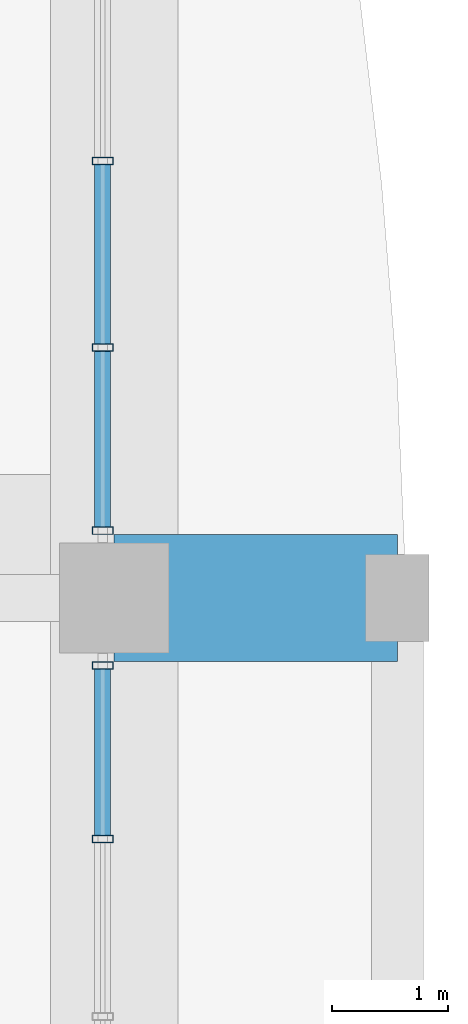
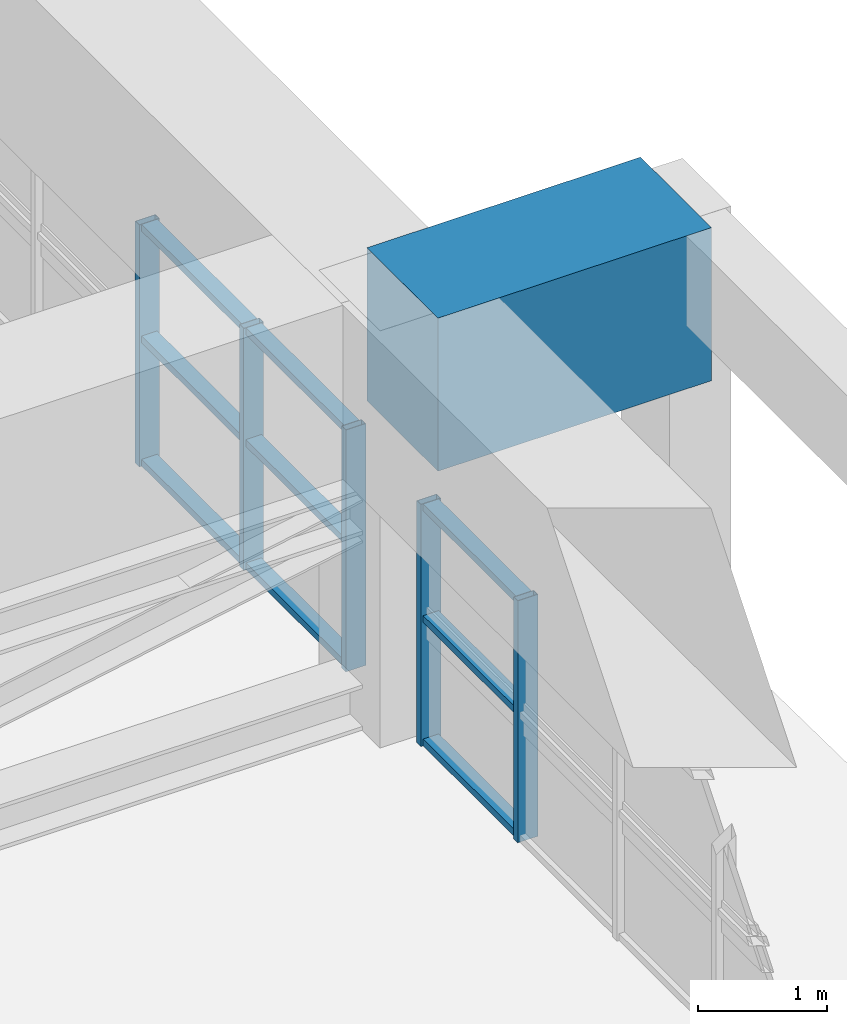
# One storey, part 24 of 35: 14 members, 1 beam, 2 elements without a shape of their own.
"""IFC4 building model written with IfcOpenShell, lengths in metres."""

import ifcopenshell
import ifcopenshell.guid

model = None  # the IFC model being written
_history = None  # IfcOwnerHistory: only IFC2X3 demands one
_inside = {}  # id of a spatial element -> (the spatial element, [elements in it])
_under = {}  # id of a project, library or spatial element -> (it, [spatial elements below it])
_declared = {}  # id of a project -> (the project, [libraries it declares])
_typed = {}  # id of a type object -> (the type object, [elements of that type])
_made_of = {}  # id of a material, layer set ... -> (it, [elements and type objects made of it])


def new_model(schema):
    """Start an empty IFC model of exactly this schema.

    Asked for "IFC4X3", IfcOpenShell would pick the latest addendum, in which some entities
    have other attributes; the version numbers below select the first issue.
    IFC2X3 requires an IfcOwnerHistory on every rooted entity: one is made here for all.
    """
    global model, _history
    if schema == "IFC4X3":
        model = ifcopenshell.file(schema_version=(4, 3, 0, 0))
    else:
        model = ifcopenshell.file(schema=schema)
    _inside.clear()
    _under.clear()
    _declared.clear()
    _typed.clear()
    _made_of.clear()
    _history = None
    if model.schema == "IFC2X3":
        org = make("IfcOrganization", Name="unknown")
        user = make(
            "IfcPersonAndOrganization",
            ThePerson=make("IfcPerson", FamilyName="unknown"),
            TheOrganization=org,
        )
        app = make(
            "IfcApplication",
            ApplicationDeveloper=org,
            Version="unknown",
            ApplicationFullName="unknown",
            ApplicationIdentifier="unknown",
        )
        _history = make(
            "IfcOwnerHistory",
            OwningUser=user,
            OwningApplication=app,
            ChangeAction="ADDED",
            CreationDate=0,
        )
    return model


def make(cls, **values):
    """One entity of the class cls with the attributes given. An attribute that is None is left unset."""
    return model.create_entity(
        cls, **{name: value for name, value in values.items() if value is not None}
    )


def rooted(cls, **values):
    """An entity with a GlobalId (a new one), such as an element, a storey or a relation."""
    return make(cls, GlobalId=ifcopenshell.guid.new(), OwnerHistory=_history, **values)


def si_unit(unit_type, name, prefix=None):
    """IfcSIUnit, for example si_unit("LENGTHUNIT", "METRE", prefix="MILLI")."""
    return make("IfcSIUnit", UnitType=unit_type, Prefix=prefix, Name=name)


def assignment(units):
    """IfcUnitAssignment: the units of a project."""
    return None if units is None else make("IfcUnitAssignment", Units=units)


def point(xyz):
    """IfcCartesianPoint."""
    return None if xyz is None else make("IfcCartesianPoint", Coordinates=xyz)


def direction(xyz):
    """IfcDirection."""
    return None if xyz is None else make("IfcDirection", DirectionRatios=xyz)


def frame(location, z_axis=None, x_axis=None):
    """IfcAxis2Placement3D, a coordinate frame: its origin and axes. An axis left out is left unset."""
    return make(
        "IfcAxis2Placement3D",
        Location=point(location),
        Axis=direction(z_axis),
        RefDirection=direction(x_axis),
    )


def frame_2d(location, x_axis=None):
    """IfcAxis2Placement2D, a coordinate frame in the plane: its origin and x axis."""
    return make(
        "IfcAxis2Placement2D", Location=point(location), RefDirection=direction(x_axis)
    )


def origin():
    """The frame at (0, 0, 0) with its axes left unset."""
    return frame((0.0, 0.0, 0.0))


def origin_2d():
    """The frame at (0, 0) in the plane with its x axis left unset."""
    return frame_2d((0.0, 0.0))


def place(relative_to, where):
    """IfcLocalPlacement: puts the frame where relative to a parent placement (None: the world)."""
    return make(
        "IfcLocalPlacement", PlacementRelTo=relative_to, RelativePlacement=where
    )


def context(
    kind, dimensions, precision=None, world=None, true_north=None, identifier=None
):
    """IfcGeometricRepresentationContext, for example the 3D "Model" context."""
    return make(
        "IfcGeometricRepresentationContext",
        ContextIdentifier=identifier,
        ContextType=kind,
        CoordinateSpaceDimension=dimensions,
        Precision=precision,
        WorldCoordinateSystem=world,
        TrueNorth=true_north,
    )


def subcontext(parent, identifier, kind, view, scale=None):
    """IfcGeometricRepresentationSubContext, for example "Body" below "Model"."""
    return make(
        "IfcGeometricRepresentationSubContext",
        ContextIdentifier=identifier,
        ContextType=kind,
        ParentContext=parent,
        TargetScale=scale,
        TargetView=view,
    )


def project(units=None, contexts=None):
    """IfcProject with its units and contexts."""
    return rooted(
        "IfcProject",
        Name="project",
        RepresentationContexts=contexts,
        UnitsInContext=assignment(units),
    )


def spatial(cls, under=None, at=None, **own):
    """A site, building, storey or space (cls), placed at a placement, below another one or the project."""
    s = rooted(cls, ObjectPlacement=at, **own)
    if under is not None:
        _under.setdefault(under.id(), (under, []))[1].append(s)
    return s


def profile(cls, at=None, kind="AREA", **sizes):
    """A parametric profile (cls). Its sizes go by their IFC names, for example OverallWidth=200.0."""
    return make(cls, ProfileType=kind, Position=at, **sizes)


def rectangle(**sizes):
    """IfcRectangleProfileDef."""
    return profile("IfcRectangleProfileDef", **sizes)


def hollow_rectangle(**sizes):
    """IfcRectangleHollowProfileDef."""
    return profile("IfcRectangleHollowProfileDef", **sizes)


def extrude(swept, where, along, depth):
    """IfcExtrudedAreaSolid: the profile swept, set in the frame where, extruded along a direction by depth."""
    return make(
        "IfcExtrudedAreaSolid",
        SweptArea=swept,
        Position=where,
        ExtrudedDirection=direction(along),
        Depth=depth,
    )


def shape(context_of_items, identifier, shape_type, items):
    """IfcShapeRepresentation: the items that make up one representation, for example the "Body"."""
    return make(
        "IfcShapeRepresentation",
        ContextOfItems=context_of_items,
        RepresentationIdentifier=identifier,
        RepresentationType=shape_type,
        Items=items,
    )


def source(mapping_origin, context_of_items, identifier, shape_type, items):
    """IfcRepresentationMap: a shape defined once, which mapped items show again and again."""
    return make(
        "IfcRepresentationMap",
        MappingOrigin=mapping_origin,
        MappedRepresentation=shape(context_of_items, identifier, shape_type, items),
    )


def transform(
    local_origin,
    x_axis=None,
    y_axis=None,
    z_axis=None,
    scale=None,
    scale2=None,
    scale3=None,
    uniform=True,
):
    """IfcCartesianTransformationOperator3D, or its non-uniform kind. x_axis, y_axis, z_axis: its Axis1, 2, 3."""
    if uniform:
        return make(
            "IfcCartesianTransformationOperator3D",
            Axis1=direction(x_axis),
            Axis2=direction(y_axis),
            LocalOrigin=point(local_origin),
            Scale=scale,
            Axis3=direction(z_axis),
        )
    return make(
        "IfcCartesianTransformationOperator3DnonUniform",
        Axis1=direction(x_axis),
        Axis2=direction(y_axis),
        LocalOrigin=point(local_origin),
        Scale=scale,
        Axis3=direction(z_axis),
        Scale2=scale2,
        Scale3=scale3,
    )


def mapped(mapping_source, mapping_target):
    """IfcMappedItem: shows the shape of a source again, moved by a transform."""
    return make(
        "IfcMappedItem", MappingSource=mapping_source, MappingTarget=mapping_target
    )


def material(Name=None, Category=None):
    """IfcMaterial."""
    return make("IfcMaterial", Name=Name, Category=Category)


def layer(
    of_material, thickness, ventilated=None, Name=None, Category=None, Priority=None
):
    """IfcMaterialLayer: one layer of a wall or slab, of a material (None: an air gap)."""
    return make(
        "IfcMaterialLayer",
        Material=of_material,
        LayerThickness=thickness,
        IsVentilated=ventilated,
        Name=Name,
        Category=Category,
        Priority=Priority,
    )


def layer_set(layers, Name=None):
    """IfcMaterialLayerSet."""
    return make("IfcMaterialLayerSet", MaterialLayers=layers, LayerSetName=Name)


def material_profile(
    of_material, cross_section, Name=None, Category=None, Priority=None
):
    """IfcMaterialProfile: a cross section and its material."""
    return make(
        "IfcMaterialProfile",
        Name=Name,
        Material=of_material,
        Profile=cross_section,
        Priority=Priority,
        Category=Category,
    )


def profile_set(profiles, Name=None, composite=None):
    """IfcMaterialProfileSet."""
    return make(
        "IfcMaterialProfileSet",
        Name=Name,
        MaterialProfiles=profiles,
        CompositeProfile=composite,
    )


def made_of(thing, what):
    """Note that an element or type object is made of a material, layer set ...; save() writes the relation."""
    if what is not None:
        _made_of.setdefault(what.id(), (what, []))[1].append(thing)
    return thing


def type_object(cls, material=None, **own):
    """A type object (cls), such as IfcWallType, which elements share."""
    return made_of(rooted(cls, **own), material)


def element(
    cls,
    number,
    at=None,
    inside=None,
    cuts=None,
    type_object=None,
    material=None,
    context=None,
    identifier="Body",
    shape_type=None,
    held_by="IfcProductDefinitionShape",
    body=None,
    shapes=None,
    **own,
):
    """One element of the class cls, such as IfcWall. Its Tag is "e" and its number.

    at: its placement. inside: the storey or other place that contains it. cuts: it is an
    opening in that element (IfcRelVoidsElement). A single representation is given by context,
    identifier, shape_type and body (its items); several are given by shapes. held_by: the class
    of the entity that holds the representations. save() writes the other relations.
    """
    e = rooted(cls, Tag="e%d" % number, ObjectPlacement=at, **own)
    if body is not None:
        shapes = [shape(context, identifier, shape_type, body)]
    if shapes is not None:
        e.Representation = make(held_by, Representations=shapes)
    if inside is not None:
        _inside.setdefault(inside.id(), (inside, []))[1].append(e)
    if cuts is not None:
        rooted(
            "IfcRelVoidsElement", RelatingBuildingElement=cuts, RelatedOpeningElement=e
        )
    if type_object is not None:
        _typed.setdefault(type_object.id(), (type_object, []))[1].append(e)
    return made_of(e, material)


def aggregate(whole, parts):
    """IfcRelAggregates: a whole, such as a stair, and the parts it consists of."""
    return rooted("IfcRelAggregates", RelatingObject=whole, RelatedObjects=parts)


def save(model, path):
    """Write the relations noted so far, then the file.

    IfcRelAggregates (storeys below a building ...), IfcRelContainedInSpatialStructure (elements
    in a storey), IfcRelDefinesByType, IfcRelAssociatesMaterial and IfcRelDeclares: one each for
    every whole, place, type object, material and project.
    """
    for whole, parts in _under.values():
        aggregate(whole, parts)
    for where, things in _inside.values():
        rooted(
            "IfcRelContainedInSpatialStructure",
            RelatedElements=things,
            RelatingStructure=where,
        )
    for kind, things in _typed.values():
        rooted("IfcRelDefinesByType", RelatedObjects=things, RelatingType=kind)
    for what, things in _made_of.values():
        rooted("IfcRelAssociatesMaterial", RelatedObjects=things, RelatingMaterial=what)
    for by, libraries in _declared.values():
        rooted("IfcRelDeclares", RelatingContext=by, RelatedDefinitions=libraries)
    model.write(path)


model = new_model("IFC4")

# Units and contexts
model_context = context("Model", 3, precision=1e-05, world=origin(), true_north=direction((0.0, 1.0)))
body_context = subcontext(model_context, "Body", "Model", "MODEL_VIEW")
ifc_project = project(units=[si_unit("LENGTHUNIT", "METRE"), si_unit("AREAUNIT", "SQUARE_METRE"), si_unit("VOLUMEUNIT", "CUBIC_METRE"), si_unit("PLANEANGLEUNIT", "RADIAN"), si_unit("MASSUNIT", "GRAM", prefix="KILO")], contexts=[model_context])

# Site, building, storey
site_placement = place(None, origin())
site = spatial("IfcSite", under=ifc_project, at=site_placement, CompositionType="ELEMENT")
building_placement = place(site_placement, origin())
building = spatial("IfcBuilding", under=site, at=building_placement, Name="Saelheon Loggia Tower", CompositionType="ELEMENT")
storey_placement = place(building_placement, frame((0.0, 0.0, 144.75)))
storey = spatial("IfcBuildingStorey", under=building, at=storey_placement, Name="L46", CompositionType="ELEMENT", Elevation=144.75)

# Beam
ifc_material_1 = material(Name="Concrete C50/60", Category="concrete")
ifc_material_profile_1 = material_profile(ifc_material_1, rectangle(XDim=1.10009765625, YDim=1.449951171875, at=origin_2d()), Name="RC-1100x1450")
ifc_profile_set_1 = profile_set([ifc_material_profile_1], Name="Concrete C50/60")
beam_type = type_object("IfcBeamType", Name="Beam_PerimTransfer_RC1100x1450", PredefinedType="BEAM", material=ifc_profile_set_1)
shared_shape_1 = source(origin(), body_context, "Body", "SweptSolid", [
    extrude(rectangle(XDim=1.10009765625, YDim=1.449951171875, at=origin_2d()), origin(), (0.0, 0.0, 1.0), 2.449951171875),
])
beam_placement = place(storey_placement, frame((64.0, 36.0, 3.22509765625), z_axis=(1.0, 0.0, 0.0), x_axis=(0.0, 1.0, 0.0)))
element("IfcBeam", 1, at=beam_placement, inside=storey, type_object=beam_type, Name="L46 Loggia Frame Tie Beam LP-E2", PredefinedType="BEAM", context=body_context, shape_type="MappedRepresentation", body=[
    mapped(shared_shape_1, transform((0.0, 0.0, 0.0), scale=1.0)),
])

# Curtain wall, members
ifc_material_2 = material(Name="Anodised Aluminium Acoustic Louvre Curtain Wall", Category="aluminium")
ifc_layer = layer(ifc_material_2, 0.179931640625)
ifc_layer_set = layer_set([ifc_layer], Name="Anodised Aluminium Acoustic Louvre Curtain Wall")
curtain_wall_type = type_object("IfcCurtainWallType", Name="CW_RefugeAcoustic", PredefinedType="NOTDEFINED", material=ifc_layer_set)
curtain_wall_1_placement = place(storey_placement, origin())
curtain_wall_1 = element("IfcCurtainWall", 2, at=curtain_wall_1_placement, inside=storey, type_object=curtain_wall_type, Name="L46 E Refuge Acoustic Curtain Wall 2", PredefinedType="NOTDEFINED")
ifc_material_3 = material(Name="Anodised Aluminium 6063-T6", Category="aluminium")
ifc_material_profile_2 = material_profile(ifc_material_3, hollow_rectangle(XDim=0.06494140625, YDim=0.179931640625, WallThickness=0.00390625, at=origin_2d()), Name="RHS-180x65x4")
ifc_profile_set_2 = profile_set([ifc_material_profile_2], Name="Anodised Aluminium 6063-T6")
member_type_1 = type_object("IfcMemberType", Name="CW_RefugeAcoustic_Mullion", PredefinedType="MULLION", material=ifc_profile_set_2)
shared_shape_2 = source(origin(), body_context, "Body", "SweptSolid", [
    extrude(hollow_rectangle(XDim=0.06494140625, YDim=0.179931640625, WallThickness=0.00390625, at=origin_2d()), origin(), (0.0, 0.0, 1.0), 2.2900390625),
])
member_1_placement = place(storey_placement, frame((63.89990234375, 33.91357421875, 0.0), z_axis=(0.0, 0.0, 1.0), x_axis=(0.0, 1.0, 0.0)))
member_1 = element("IfcMember", 3, at=member_1_placement, type_object=member_type_1, Name="CW5 mullion 11", PredefinedType="MULLION", context=body_context, shape_type="MappedRepresentation", body=[
    mapped(shared_shape_2, transform((0.0, 0.0, 0.0), scale=1.0)),
])
member_2_placement = place(storey_placement, frame((63.89990234375, 35.41748046875, 0.0), z_axis=(0.0, 0.0, 1.0), x_axis=(0.0, 1.0, 0.0)))
member_2 = element("IfcMember", 4, at=member_2_placement, type_object=member_type_1, Name="CW5 mullion 12", PredefinedType="MULLION", context=body_context, shape_type="MappedRepresentation", body=[
    mapped(shared_shape_2, transform((0.0, 0.0, 0.0), scale=1.0)),
])

curtain_wall_2_placement = place(storey_placement, origin())
curtain_wall_2 = element("IfcCurtainWall", 5, at=curtain_wall_2_placement, inside=storey, type_object=curtain_wall_type, Name="L46 E Refuge Acoustic Curtain Wall 3", PredefinedType="NOTDEFINED")
member_3_placement = place(storey_placement, frame((63.89990234375, 36.58251953125, 0.0), z_axis=(0.0, 0.0, 1.0), x_axis=(0.0, 1.0, 0.0)))
member_3 = element("IfcMember", 6, at=member_3_placement, type_object=member_type_1, Name="CW5 mullion 1", PredefinedType="MULLION", context=body_context, shape_type="MappedRepresentation", body=[
    mapped(shared_shape_2, transform((0.0, 0.0, 0.0), scale=1.0)),
])
member_4_placement = place(storey_placement, frame((63.89990234375, 38.166748046875, 0.0), z_axis=(0.0, 0.0, 1.0), x_axis=(0.0, 1.0, 0.0)))
member_4 = element("IfcMember", 7, at=member_4_placement, type_object=member_type_1, Name="CW5 mullion 2", PredefinedType="MULLION", context=body_context, shape_type="MappedRepresentation", body=[
    mapped(shared_shape_2, transform((0.0, 0.0, 0.0), scale=1.0)),
])
member_5_placement = place(storey_placement, frame((63.89990234375, 39.783447265625, 0.0), z_axis=(0.0, 0.0, 1.0), x_axis=(0.0, 1.0, 0.0)))
member_5 = element("IfcMember", 8, at=member_5_placement, type_object=member_type_1, Name="CW5 mullion 3", PredefinedType="MULLION", context=body_context, shape_type="MappedRepresentation", body=[
    mapped(shared_shape_2, transform((0.0, 0.0, 0.0), scale=1.0)),
])

# Member
ifc_material_profile_3 = material_profile(ifc_material_3, hollow_rectangle(XDim=0.06494140625, YDim=0.139892578125, WallThickness=0.00390625, at=origin_2d()), Name="RHS-140x65x4")
ifc_profile_set_3 = profile_set([ifc_material_profile_3], Name="Anodised Aluminium 6063-T6")
member_type_2 = type_object("IfcMemberType", Name="CW_RefugeAcoustic_Transom", PredefinedType="USERDEFINED", material=ifc_profile_set_3)
shared_shape_3 = source(origin(), body_context, "Body", "SweptSolid", [
    extrude(hollow_rectangle(XDim=0.06494140625, YDim=0.139892578125, WallThickness=0.00390625, at=origin_2d()), origin(), (0.0, 0.0, 1.0), 1.43896484375),
])
member_6_placement = place(storey_placement, frame((63.89990234375, 33.946044921875, 0.032470703125), z_axis=(0.0, 1.0, 0.0), x_axis=(0.0, 0.0, 1.0)))
member_6 = element("IfcMember", 9, at=member_6_placement, type_object=member_type_2, Name="CW5 transom 11.1", ObjectType="TRANSOM", PredefinedType="USERDEFINED", context=body_context, shape_type="MappedRepresentation", body=[
    mapped(shared_shape_3, transform((0.0, 0.0, 0.0), scale=1.0)),
])

member_7_placement = place(storey_placement, frame((63.89990234375, 33.946044921875, 1.199951171875), z_axis=(0.0, 1.0, 0.0), x_axis=(0.0, 0.0, 1.0)))
member_7 = element("IfcMember", 10, at=member_7_placement, type_object=member_type_2, Name="CW5 transom 11.2", ObjectType="TRANSOM", PredefinedType="USERDEFINED", context=body_context, shape_type="MappedRepresentation", body=[
    mapped(shared_shape_3, transform((0.0, 0.0, 0.0), scale=1.0)),
])

member_8_placement = place(storey_placement, frame((63.89990234375, 33.946044921875, 2.257568359375), z_axis=(0.0, 1.0, 0.0), x_axis=(0.0, 0.0, 1.0)))
member_8 = element("IfcMember", 11, at=member_8_placement, type_object=member_type_2, Name="CW5 transom 11.3", ObjectType="TRANSOM", PredefinedType="USERDEFINED", context=body_context, shape_type="MappedRepresentation", body=[
    mapped(shared_shape_3, transform((0.0, 0.0, 0.0), scale=1.0)),
])

aggregate(curtain_wall_1, [member_1, member_2, member_6, member_7, member_8])

shared_shape_4 = source(origin(), body_context, "Body", "SweptSolid", [
    extrude(hollow_rectangle(XDim=0.06494140625, YDim=0.139892578125, WallThickness=0.00390625, at=origin_2d()), origin(), (0.0, 0.0, 1.0), 1.519287109375),
])
member_9_placement = place(storey_placement, frame((63.89990234375, 36.614990234375, 0.032470703125), z_axis=(0.0, 1.0, 0.0), x_axis=(0.0, 0.0, 1.0)))
member_9 = element("IfcMember", 12, at=member_9_placement, type_object=member_type_2, Name="CW5 transom 1.1", ObjectType="TRANSOM", PredefinedType="USERDEFINED", context=body_context, shape_type="MappedRepresentation", body=[
    mapped(shared_shape_4, transform((0.0, 0.0, 0.0), scale=1.0)),
])

member_10_placement = place(storey_placement, frame((63.89990234375, 36.614990234375, 1.199951171875), z_axis=(0.0, 1.0, 0.0), x_axis=(0.0, 0.0, 1.0)))
member_10 = element("IfcMember", 13, at=member_10_placement, type_object=member_type_2, Name="CW5 transom 1.2", ObjectType="TRANSOM", PredefinedType="USERDEFINED", context=body_context, shape_type="MappedRepresentation", body=[
    mapped(shared_shape_4, transform((0.0, 0.0, 0.0), scale=1.0)),
])

member_11_placement = place(storey_placement, frame((63.89990234375, 36.614990234375, 2.257568359375), z_axis=(0.0, 1.0, 0.0), x_axis=(0.0, 0.0, 1.0)))
member_11 = element("IfcMember", 14, at=member_11_placement, type_object=member_type_2, Name="CW5 transom 1.3", ObjectType="TRANSOM", PredefinedType="USERDEFINED", context=body_context, shape_type="MappedRepresentation", body=[
    mapped(shared_shape_4, transform((0.0, 0.0, 0.0), scale=1.0)),
])

shared_shape_5 = source(origin(), body_context, "Body", "SweptSolid", [
    extrude(hollow_rectangle(XDim=0.06494140625, YDim=0.139892578125, WallThickness=0.00390625, at=origin_2d()), origin(), (0.0, 0.0, 1.0), 1.551513671875),
])
member_12_placement = place(storey_placement, frame((63.89990234375, 38.19921875, 0.032470703125), z_axis=(0.0, 1.0, 0.0), x_axis=(0.0, 0.0, 1.0)))
member_12 = element("IfcMember", 15, at=member_12_placement, type_object=member_type_2, Name="CW5 transom 2.1", ObjectType="TRANSOM", PredefinedType="USERDEFINED", context=body_context, shape_type="MappedRepresentation", body=[
    mapped(shared_shape_5, transform((0.0, 0.0, 0.0), scale=1.0)),
])

member_13_placement = place(storey_placement, frame((63.89990234375, 38.19921875, 1.199951171875), z_axis=(0.0, 1.0, 0.0), x_axis=(0.0, 0.0, 1.0)))
member_13 = element("IfcMember", 16, at=member_13_placement, type_object=member_type_2, Name="CW5 transom 2.2", ObjectType="TRANSOM", PredefinedType="USERDEFINED", context=body_context, shape_type="MappedRepresentation", body=[
    mapped(shared_shape_5, transform((0.0, 0.0, 0.0), scale=1.0)),
])

member_14_placement = place(storey_placement, frame((63.89990234375, 38.19921875, 2.257568359375), z_axis=(0.0, 1.0, 0.0), x_axis=(0.0, 0.0, 1.0)))
member_14 = element("IfcMember", 17, at=member_14_placement, type_object=member_type_2, Name="CW5 transom 2.3", ObjectType="TRANSOM", PredefinedType="USERDEFINED", context=body_context, shape_type="MappedRepresentation", body=[
    mapped(shared_shape_5, transform((0.0, 0.0, 0.0), scale=1.0)),
])

aggregate(curtain_wall_2, [member_3, member_4, member_5, member_9, member_10, member_11, member_12, member_13, member_14])

save(model, "model.ifc")
